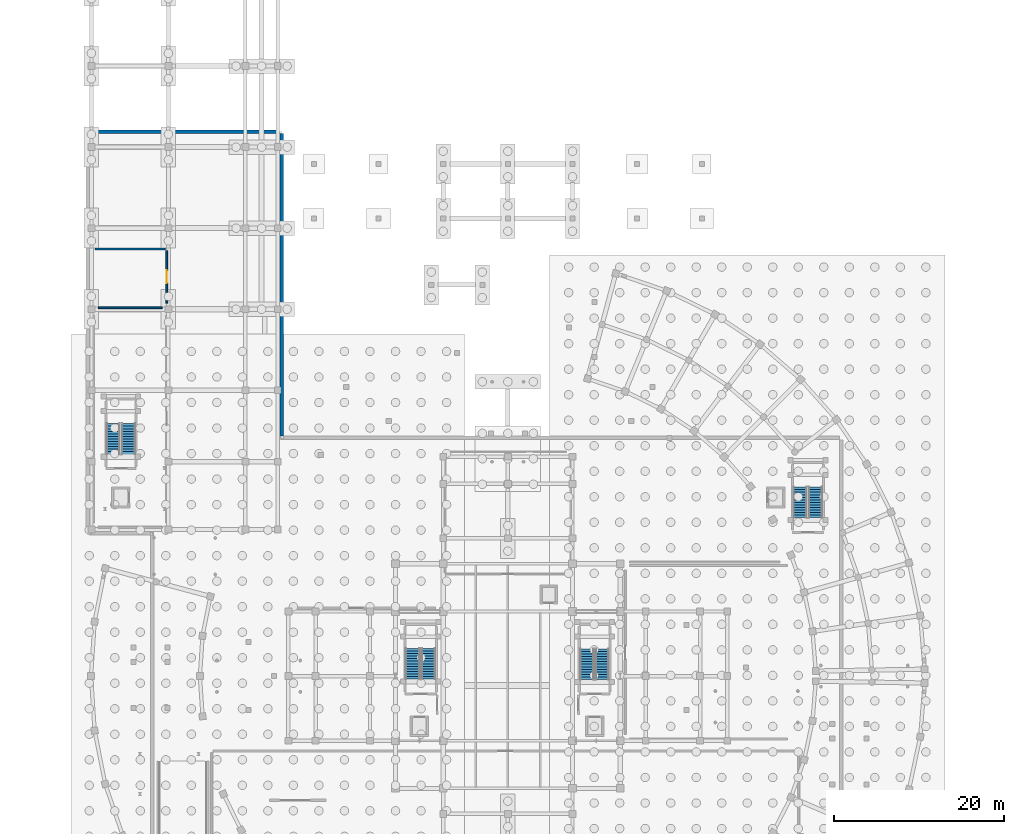
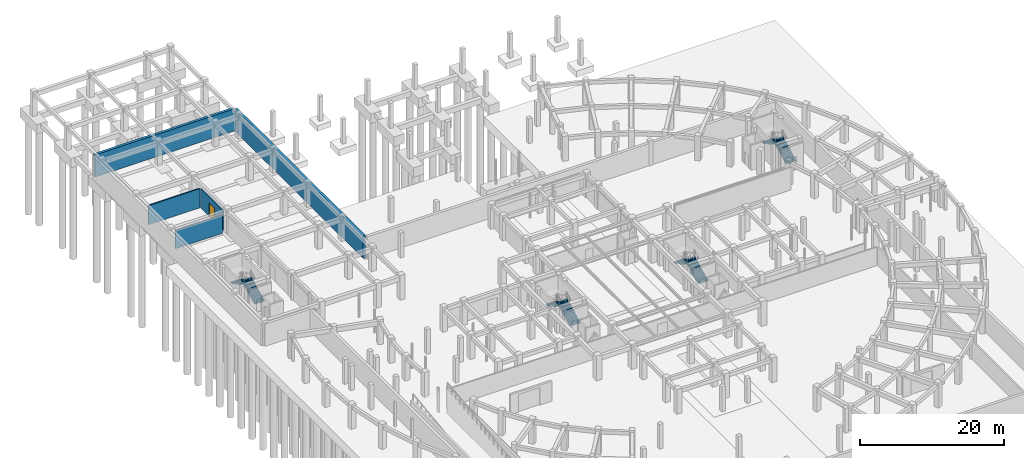
# One storey, part 28 of 33: 8 stair flights, 5 walls, 1 door, 1 opening, 4 elements without a shape of their own.
"""IFC4 building model written with IfcOpenShell, lengths in metres."""

from ifc_helpers import new_model, si_unit, direction, frame, frame_2d, origin, place, context, subcontext, project, spatial, polyline, rectangle, outline, extrude, material, layer, layer_set, type_object, element, fill, aggregate, save


model = new_model("IFC4")

# Units and contexts
model_context = context("Model", 3, precision=1e-05, world=origin(), true_north=direction((0.0, 1.0)))
body_context = subcontext(model_context, "Body", "Model", "MODEL_VIEW")
ifc_project = project(units=[si_unit("LENGTHUNIT", "METRE"), si_unit("AREAUNIT", "SQUARE_METRE"), si_unit("VOLUMEUNIT", "CUBIC_METRE"), si_unit("PLANEANGLEUNIT", "RADIAN"), si_unit("MASSUNIT", "GRAM", prefix="KILO")], contexts=[model_context])

# Site, building, storey
site_placement = place(None, origin())
site = spatial("IfcSite", under=ifc_project, at=site_placement, CompositionType="ELEMENT")
building_placement = place(site_placement, origin())
building = spatial("IfcBuilding", under=site, at=building_placement, Name="Saryqyr Civic Hall", CompositionType="ELEMENT")
storey_placement = place(building_placement, frame((0.0, 0.0, -4.199951171875)))
storey = spatial("IfcBuildingStorey", under=building, at=storey_placement, Name="B1", CompositionType="ELEMENT", Elevation=-4.199951171875)

# Walls
ifc_material_1 = material(Name="Concrete C35/45", Category="concrete")
ifc_layer_1 = layer(ifc_material_1, 0.419921875, Name="Concrete C35/45")
ifc_layer_set_1 = layer_set([ifc_layer_1], Name="Concrete C35/45")
wall_type_1 = type_object("IfcWallType", Name="ENV-WAL-RET-420", PredefinedType="USERDEFINED", material=ifc_layer_set_1)
wall_1_placement = place(storey_placement, frame((30.39990234375, 112.219970703125, 0.0), z_axis=(0.0, 0.0, 1.0), x_axis=(0.0, 1.0, 0.0)))
element("IfcWall", 1, at=wall_1_placement, inside=storey, type_object=wall_type_1, Name="Basement perimeter retaining wall 4", ObjectType="RETAINING", PredefinedType="USERDEFINED", context=body_context, shape_type="SweptSolid", body=[
    extrude(rectangle(XDim=35.56005859375, YDim=0.419921875, at=frame_2d((17.780029296875, 0.0))), origin(), (0.0, 0.0, 1.0), 3.75),
])
wall_2_placement = place(storey_placement, frame((7.820068359375, 148.0, 0.0), z_axis=(0.0, 0.0, 1.0), x_axis=(1.0, 0.0, 0.0)))
element("IfcWall", 2, at=wall_2_placement, inside=storey, type_object=wall_type_1, Name="Basement perimeter retaining wall 5", ObjectType="RETAINING", PredefinedType="USERDEFINED", context=body_context, shape_type="SweptSolid", body=[
    extrude(rectangle(XDim=22.35986328125, YDim=0.419921875, at=frame_2d((11.179931640625, 0.0))), origin(), (0.0, 0.0, 1.0), 3.75),
])

# Wall, opening, door
ifc_material_2 = material(Name="Autoclaved aerated concrete blockwork", Category="masonry")
ifc_layer_2 = layer(ifc_material_2, 0.199951171875, Name="Autoclaved aerated concrete blockwork")
ifc_layer_set_2 = layer_set([ifc_layer_2], Name="Autoclaved aerated concrete blockwork")
wall_type_2 = type_object("IfcWallType", Name="INT-WAL-FIR-200", PredefinedType="PARTITIONING", material=ifc_layer_set_2)
wall_3_placement = place(storey_placement, frame((16.89990234375, 134.02001953125, 0.0), z_axis=(0.0, 0.0, 1.0), x_axis=(0.0, -1.0, 0.0)))
wall_3 = element("IfcWall", 3, at=wall_3_placement, inside=storey, type_object=wall_type_2, Name="Interior partition PRT-SP-B1-ARCH-VAULT2-W1", PredefinedType="PARTITIONING", context=body_context, shape_type="SweptSolid", body=[
    extrude(rectangle(XDim=6.169921875, YDim=0.199951171875, at=frame_2d((3.0849609375, 0.0))), origin(), (0.0, 0.0, 1.0), 3.2548828125),
])
opening_placement = place(wall_3_placement, frame((2.3349609375, 0.0, 0.0)))
opening = element("IfcOpeningElement", 4, at=opening_placement, cuts=wall_3, Name="Opening FD-03", PredefinedType="OPENING", context=body_context, shape_type="SweptSolid", body=[
    extrude(rectangle(XDim=1.5, YDim=2.25, at=frame_2d((0.75, 1.125))), frame((0.0, 0.10986328125, 0.0), z_axis=(0.0, -1.0, 0.0), x_axis=(1.0, 0.0, 0.0)), (0.0, 0.0, 1.0), 0.219970703125),
])
ifc_material_3 = material(Name="Painted galvanized steel", Category="steel")
door_type = type_object("IfcDoorType", Name="INT-DR-ARCHV-1500x2250", OperationType="NOTDEFINED", PredefinedType="DOOR", material=ifc_material_3)
door_placement = place(opening_placement, origin())
door = element("IfcDoor", 5, at=door_placement, inside=storey, type_object=door_type, Name="Interior door Municipal Archive Climate-Controlled Vault 2", OperationType="SINGLE_SWING_RIGHT", OverallHeight=2.25, OverallWidth=1.5, PredefinedType="DOOR", context=body_context, shape_type="SweptSolid", body=[
    extrude(rectangle(XDim=1.5, YDim=2.25, at=frame_2d((0.75, 1.125))), frame((0.0, 0.02490234375, 0.0), z_axis=(0.0, -1.0, 0.0), x_axis=(1.0, 0.0, 0.0)), (0.0, 0.0, 1.0), 0.050048828125),
])
fill(opening, door)

# Walls
wall_4_placement = place(storey_placement, frame((16.35009765625, 127.300048828125, 0.0), z_axis=(0.0, 0.0, 1.0), x_axis=(-1.0, 0.0, 0.0)))
element("IfcWall", 6, at=wall_4_placement, inside=storey, type_object=wall_type_2, Name="Interior partition PRT-SP-B1-ARCH-VAULT2-W2", PredefinedType="PARTITIONING", context=body_context, shape_type="SweptSolid", body=[
    extrude(rectangle(XDim=7.5, YDim=0.199951171875, at=frame_2d((3.75, 0.0))), origin(), (0.0, 0.0, 1.0), 3.10498046875),
])
wall_5_placement = place(storey_placement, frame((8.47998046875, 134.199951171875, 0.0), z_axis=(0.0, 0.0, 1.0), x_axis=(1.0, 0.0, 0.0)))
element("IfcWall", 7, at=wall_5_placement, inside=storey, type_object=wall_type_2, Name="Interior partition PRT-SP-B1-ARCH-VAULT2-W3", PredefinedType="PARTITIONING", context=body_context, shape_type="SweptSolid", body=[
    extrude(rectangle(XDim=8.239990234375, YDim=0.199951171875, at=frame_2d((4.1201171875, 0.0))), origin(), (0.0, 0.0, 1.0), 3.2548828125),
])

# Stair, stair flights
stair_type_1 = type_object("IfcStairType", Name="INT-STR-ST-1", PredefinedType="HALF_TURN_STAIR", material=ifc_material_1)
stair_1_placement = place(storey_placement, origin())
stair_1 = element("IfcStair", 8, at=stair_1_placement, inside=storey, type_object=stair_type_1, Name="B1 Protected Exit Stair ST-1", PredefinedType="HALF_TURN_STAIR")
stair_flight_type_1 = type_object("IfcStairFlightType", Name="INT-SFL-ST-1", PredefinedType="STRAIGHT", material=ifc_material_1)
stair_flight_1_placement = place(storey_placement, frame((47.675048828125, 83.64990234375, 0.0), z_axis=(0.0, 0.0, 1.0), x_axis=(0.0, 1.0, 0.0)))
stair_flight_1 = element("IfcStairFlight", 9, at=stair_flight_1_placement, type_object=stair_flight_type_1, Name="ST-1 flight 1", NumberOfRisers=13, NumberOfTreads=12, PredefinedType="STRAIGHT", RiserHeight=0.161538462, TreadLength=0.3, context=body_context, shape_type="SweptSolid", body=[
    extrude(outline(polyline([(0.0, 0.0), (0.0, 0.16162109375), (0.300048828125, 0.16162109375), (0.300048828125, 0.322998046875), (0.60009765625, 0.322998046875), (0.60009765625, 0.484619140625), (0.89990234375, 0.484619140625), (0.89990234375, 0.646240234375), (1.199951171875, 0.646240234375), (1.199951171875, 0.8076171875), (1.5, 0.8076171875), (1.5, 0.96923828125), (1.800048828125, 0.96923828125), (1.800048828125, 1.130859375), (2.10009765625, 1.130859375), (2.10009765625, 1.292236328125), (2.39990234375, 1.292236328125), (2.39990234375, 1.453857421875), (2.699951171875, 1.453857421875), (2.699951171875, 1.615478515625), (3.0, 1.615478515625), (3.0, 1.77685546875), (3.300048828125, 1.77685546875), (3.300048828125, 1.9384765625), (3.60009765625, 1.9384765625), (3.60009765625, 2.10009765625), (3.60009765625, 1.768310546875), (0.316162109375, 0.0), (0.0, 0.0)])), frame((0.0, 0.824951171875, 0.0), z_axis=(0.0, -1.0, 0.0), x_axis=(1.0, 0.0, 0.0)), (0.0, 0.0, 1.0), 1.64990234375),
])
stair_flight_2_placement = place(storey_placement, frame((45.824951171875, 87.25, 2.099853515625), z_axis=(0.0, 0.0, 1.0), x_axis=(0.0, -1.0, 0.0)))
stair_flight_2 = element("IfcStairFlight", 10, at=stair_flight_2_placement, type_object=stair_flight_type_1, Name="ST-1 flight 2", NumberOfRisers=13, NumberOfTreads=12, PredefinedType="STRAIGHT", RiserHeight=0.161538462, TreadLength=0.3, context=body_context, shape_type="SweptSolid", body=[
    extrude(outline(polyline([(0.0, 0.0), (0.0, 0.16162109375), (0.300048828125, 0.16162109375), (0.300048828125, 0.322998046875), (0.60009765625, 0.322998046875), (0.60009765625, 0.484619140625), (0.89990234375, 0.484619140625), (0.89990234375, 0.646240234375), (1.199951171875, 0.646240234375), (1.199951171875, 0.8076171875), (1.5, 0.8076171875), (1.5, 0.96923828125), (1.800048828125, 0.96923828125), (1.800048828125, 1.130859375), (2.10009765625, 1.130859375), (2.10009765625, 1.292236328125), (2.39990234375, 1.292236328125), (2.39990234375, 1.453857421875), (2.699951171875, 1.453857421875), (2.699951171875, 1.615478515625), (3.0, 1.615478515625), (3.0, 1.77685546875), (3.300048828125, 1.77685546875), (3.300048828125, 1.9384765625), (3.60009765625, 1.9384765625), (3.60009765625, 2.10009765625), (3.60009765625, 1.768310546875), (0.316162109375, 0.0), (0.0, 0.0)])), frame((0.0, 0.824951171875, 0.0), z_axis=(0.0, -1.0, 0.0), x_axis=(1.0, 0.0, 0.0)), (0.0, 0.0, 1.0), 1.64990234375),
])
aggregate(stair_1, [stair_flight_1, stair_flight_2])

stair_type_2 = type_object("IfcStairType", Name="INT-STR-ST-2", PredefinedType="HALF_TURN_STAIR", material=ifc_material_1)
stair_2_placement = place(storey_placement, origin())
stair_2 = element("IfcStair", 11, at=stair_2_placement, inside=storey, type_object=stair_type_2, Name="B1 Protected Exit Stair ST-2", PredefinedType="HALF_TURN_STAIR")
stair_flight_type_2 = type_object("IfcStairFlightType", Name="INT-SFL-ST-2", PredefinedType="STRAIGHT", material=ifc_material_1)
stair_flight_3_placement = place(storey_placement, frame((68.10009765625, 83.60009765625, 0.0), z_axis=(0.0, 0.0, 1.0), x_axis=(0.0, 1.0, 0.0)))
stair_flight_3 = element("IfcStairFlight", 12, at=stair_flight_3_placement, type_object=stair_flight_type_2, Name="ST-2 flight 1", NumberOfRisers=13, NumberOfTreads=12, PredefinedType="STRAIGHT", RiserHeight=0.161538462, TreadLength=0.3, context=body_context, shape_type="SweptSolid", body=[
    extrude(outline(polyline([(0.0, 0.0), (0.0, 0.16162109375), (0.300048828125, 0.16162109375), (0.300048828125, 0.322998046875), (0.60009765625, 0.322998046875), (0.60009765625, 0.484619140625), (0.89990234375, 0.484619140625), (0.89990234375, 0.646240234375), (1.199951171875, 0.646240234375), (1.199951171875, 0.8076171875), (1.5, 0.8076171875), (1.5, 0.96923828125), (1.800048828125, 0.96923828125), (1.800048828125, 1.130859375), (2.10009765625, 1.130859375), (2.10009765625, 1.292236328125), (2.39990234375, 1.292236328125), (2.39990234375, 1.453857421875), (2.699951171875, 1.453857421875), (2.699951171875, 1.615478515625), (3.0, 1.615478515625), (3.0, 1.77685546875), (3.300048828125, 1.77685546875), (3.300048828125, 1.9384765625), (3.60009765625, 1.9384765625), (3.60009765625, 2.10009765625), (3.60009765625, 1.768310546875), (0.316162109375, 0.0), (0.0, 0.0)])), frame((0.0, 0.800048828125, 0.0), z_axis=(0.0, -1.0, 0.0), x_axis=(1.0, 0.0, 0.0)), (0.0, 0.0, 1.0), 1.60009765625),
])
stair_flight_4_placement = place(storey_placement, frame((66.300048828125, 87.199951171875, 2.099853515625), z_axis=(0.0, 0.0, 1.0), x_axis=(0.0, -1.0, 0.0)))
stair_flight_4 = element("IfcStairFlight", 13, at=stair_flight_4_placement, type_object=stair_flight_type_2, Name="ST-2 flight 2", NumberOfRisers=13, NumberOfTreads=12, PredefinedType="STRAIGHT", RiserHeight=0.161538462, TreadLength=0.3, context=body_context, shape_type="SweptSolid", body=[
    extrude(outline(polyline([(0.0, 0.0), (0.0, 0.16162109375), (0.300048828125, 0.16162109375), (0.300048828125, 0.322998046875), (0.60009765625, 0.322998046875), (0.60009765625, 0.484619140625), (0.89990234375, 0.484619140625), (0.89990234375, 0.646240234375), (1.199951171875, 0.646240234375), (1.199951171875, 0.8076171875), (1.5, 0.8076171875), (1.5, 0.96923828125), (1.800048828125, 0.96923828125), (1.800048828125, 1.130859375), (2.10009765625, 1.130859375), (2.10009765625, 1.292236328125), (2.39990234375, 1.292236328125), (2.39990234375, 1.453857421875), (2.699951171875, 1.453857421875), (2.699951171875, 1.615478515625), (3.0, 1.615478515625), (3.0, 1.77685546875), (3.300048828125, 1.77685546875), (3.300048828125, 1.9384765625), (3.60009765625, 1.9384765625), (3.60009765625, 2.10009765625), (3.60009765625, 1.768310546875), (0.316162109375, 0.0), (0.0, 0.0)])), frame((0.0, 0.800048828125, 0.0), z_axis=(0.0, -1.0, 0.0), x_axis=(1.0, 0.0, 0.0)), (0.0, 0.0, 1.0), 1.60009765625),
])
aggregate(stair_2, [stair_flight_3, stair_flight_4])

stair_type_3 = type_object("IfcStairType", Name="INT-STR-ST-3", PredefinedType="HALF_TURN_STAIR", material=ifc_material_1)
stair_3_placement = place(storey_placement, origin())
stair_3 = element("IfcStair", 14, at=stair_3_placement, inside=storey, type_object=stair_type_3, Name="B1 Protected Exit Stair ST-3", PredefinedType="HALF_TURN_STAIR")
stair_flight_type_3 = type_object("IfcStairFlightType", Name="INT-SFL-ST-3", PredefinedType="STRAIGHT", material=ifc_material_1)
stair_flight_5_placement = place(storey_placement, frame((12.409912109375, 110.080078125, 0.0), z_axis=(0.0, 0.0, 1.0), x_axis=(0.0, 1.0, 0.0)))
stair_flight_5 = element("IfcStairFlight", 15, at=stair_flight_5_placement, type_object=stair_flight_type_3, Name="ST-3 flight 1", NumberOfRisers=13, NumberOfTreads=12, PredefinedType="STRAIGHT", RiserHeight=0.161538462, TreadLength=0.3, context=body_context, shape_type="SweptSolid", body=[
    extrude(outline(polyline([(0.0, 0.0), (0.0, 0.16162109375), (0.300048828125, 0.16162109375), (0.300048828125, 0.322998046875), (0.60009765625, 0.322998046875), (0.60009765625, 0.484619140625), (0.89990234375, 0.484619140625), (0.89990234375, 0.646240234375), (1.199951171875, 0.646240234375), (1.199951171875, 0.8076171875), (1.5, 0.8076171875), (1.5, 0.96923828125), (1.800048828125, 0.96923828125), (1.800048828125, 1.130859375), (2.10009765625, 1.130859375), (2.10009765625, 1.292236328125), (2.39990234375, 1.292236328125), (2.39990234375, 1.453857421875), (2.699951171875, 1.453857421875), (2.699951171875, 1.615478515625), (3.0, 1.615478515625), (3.0, 1.77685546875), (3.300048828125, 1.77685546875), (3.300048828125, 1.9384765625), (3.60009765625, 1.9384765625), (3.60009765625, 2.10009765625), (3.60009765625, 1.768310546875), (0.316162109375, 0.0), (0.0, 0.0)])), frame((0.0, 0.7900390625, 0.0), z_axis=(0.0, -1.0, 0.0), x_axis=(1.0, 0.0, 0.0)), (0.0, 0.0, 1.0), 1.580078125),
])
stair_flight_6_placement = place(storey_placement, frame((10.6298828125, 113.679931640625, 2.099853515625), z_axis=(0.0, 0.0, 1.0), x_axis=(0.0, -1.0, 0.0)))
stair_flight_6 = element("IfcStairFlight", 16, at=stair_flight_6_placement, type_object=stair_flight_type_3, Name="ST-3 flight 2", NumberOfRisers=13, NumberOfTreads=12, PredefinedType="STRAIGHT", RiserHeight=0.161538462, TreadLength=0.3, context=body_context, shape_type="SweptSolid", body=[
    extrude(outline(polyline([(0.0, 0.0), (0.0, 0.16162109375), (0.300048828125, 0.16162109375), (0.300048828125, 0.322998046875), (0.60009765625, 0.322998046875), (0.60009765625, 0.484619140625), (0.89990234375, 0.484619140625), (0.89990234375, 0.646240234375), (1.199951171875, 0.646240234375), (1.199951171875, 0.8076171875), (1.5, 0.8076171875), (1.5, 0.96923828125), (1.800048828125, 0.96923828125), (1.800048828125, 1.130859375), (2.10009765625, 1.130859375), (2.10009765625, 1.292236328125), (2.39990234375, 1.292236328125), (2.39990234375, 1.453857421875), (2.699951171875, 1.453857421875), (2.699951171875, 1.615478515625), (3.0, 1.615478515625), (3.0, 1.77685546875), (3.300048828125, 1.77685546875), (3.300048828125, 1.9384765625), (3.60009765625, 1.9384765625), (3.60009765625, 2.10009765625), (3.60009765625, 1.768310546875), (0.316162109375, 0.0), (0.0, 0.0)])), frame((0.0, 0.7900390625, 0.0), z_axis=(0.0, -1.0, 0.0), x_axis=(1.0, 0.0, 0.0)), (0.0, 0.0, 1.0), 1.580078125),
])
aggregate(stair_3, [stair_flight_5, stair_flight_6])

stair_type_4 = type_object("IfcStairType", Name="INT-STR-ST-6", PredefinedType="HALF_TURN_STAIR", material=ifc_material_1)
stair_4_placement = place(storey_placement, origin())
stair_4 = element("IfcStair", 17, at=stair_4_placement, inside=storey, type_object=stair_type_4, Name="B1 Protected Exit Stair ST-6", PredefinedType="HALF_TURN_STAIR")
stair_flight_type_4 = type_object("IfcStairFlightType", Name="INT-SFL-ST-6", PredefinedType="STRAIGHT", material=ifc_material_1)
stair_flight_7_placement = place(storey_placement, frame((93.18994140625, 102.6201171875, 0.0), z_axis=(0.0, 0.0, 1.0), x_axis=(0.0, 1.0, 0.0)))
stair_flight_7 = element("IfcStairFlight", 18, at=stair_flight_7_placement, type_object=stair_flight_type_4, Name="ST-6 flight 1", NumberOfRisers=13, NumberOfTreads=12, PredefinedType="STRAIGHT", RiserHeight=0.161538462, TreadLength=0.3, context=body_context, shape_type="SweptSolid", body=[
    extrude(outline(polyline([(0.0, 0.0), (0.0, 0.16162109375), (0.300048828125, 0.16162109375), (0.300048828125, 0.322998046875), (0.60009765625, 0.322998046875), (0.60009765625, 0.484619140625), (0.89990234375, 0.484619140625), (0.89990234375, 0.646240234375), (1.199951171875, 0.646240234375), (1.199951171875, 0.8076171875), (1.5, 0.8076171875), (1.5, 0.96923828125), (1.800048828125, 0.96923828125), (1.800048828125, 1.130859375), (2.10009765625, 1.130859375), (2.10009765625, 1.292236328125), (2.39990234375, 1.292236328125), (2.39990234375, 1.453857421875), (2.699951171875, 1.453857421875), (2.699951171875, 1.615478515625), (3.0, 1.615478515625), (3.0, 1.77685546875), (3.300048828125, 1.77685546875), (3.300048828125, 1.9384765625), (3.60009765625, 1.9384765625), (3.60009765625, 2.10009765625), (3.60009765625, 1.768310546875), (0.316162109375, 0.0), (0.0, 0.0)])), frame((0.0, 0.81005859375, 0.0), z_axis=(0.0, -1.0, 0.0), x_axis=(1.0, 0.0, 0.0)), (0.0, 0.0, 1.0), 1.6201171875),
])
stair_flight_8_placement = place(storey_placement, frame((91.3701171875, 106.219970703125, 2.099853515625), z_axis=(0.0, 0.0, 1.0), x_axis=(0.0, -1.0, 0.0)))
stair_flight_8 = element("IfcStairFlight", 19, at=stair_flight_8_placement, type_object=stair_flight_type_4, Name="ST-6 flight 2", NumberOfRisers=13, NumberOfTreads=12, PredefinedType="STRAIGHT", RiserHeight=0.161538462, TreadLength=0.3, context=body_context, shape_type="SweptSolid", body=[
    extrude(outline(polyline([(0.0, 0.0), (0.0, 0.16162109375), (0.300048828125, 0.16162109375), (0.300048828125, 0.322998046875), (0.60009765625, 0.322998046875), (0.60009765625, 0.484619140625), (0.89990234375, 0.484619140625), (0.89990234375, 0.646240234375), (1.199951171875, 0.646240234375), (1.199951171875, 0.8076171875), (1.5, 0.8076171875), (1.5, 0.96923828125), (1.800048828125, 0.96923828125), (1.800048828125, 1.130859375), (2.10009765625, 1.130859375), (2.10009765625, 1.292236328125), (2.39990234375, 1.292236328125), (2.39990234375, 1.453857421875), (2.699951171875, 1.453857421875), (2.699951171875, 1.615478515625), (3.0, 1.615478515625), (3.0, 1.77685546875), (3.300048828125, 1.77685546875), (3.300048828125, 1.9384765625), (3.60009765625, 1.9384765625), (3.60009765625, 2.10009765625), (3.60009765625, 1.768310546875), (0.316162109375, 0.0), (0.0, 0.0)])), frame((0.0, 0.81005859375, 0.0), z_axis=(0.0, -1.0, 0.0), x_axis=(1.0, 0.0, 0.0)), (0.0, 0.0, 1.0), 1.6201171875),
])
aggregate(stair_4, [stair_flight_7, stair_flight_8])

save(model, "model.ifc")
